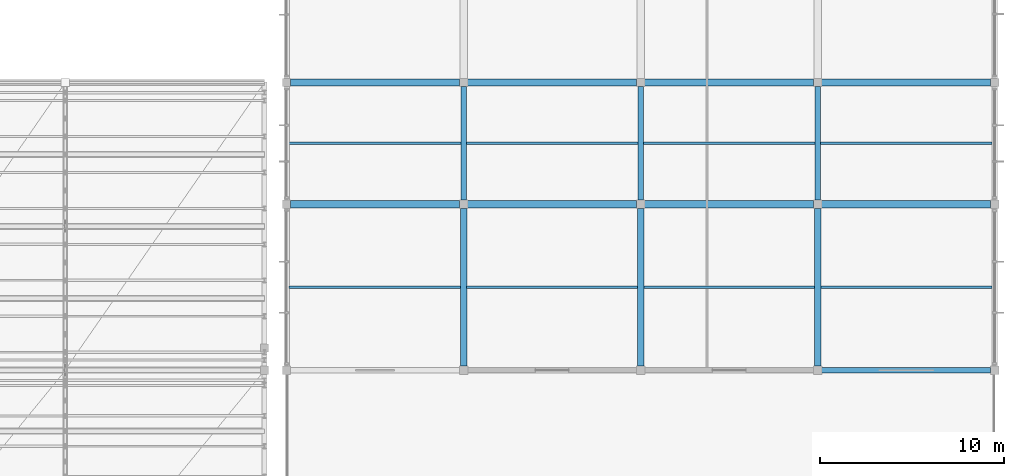
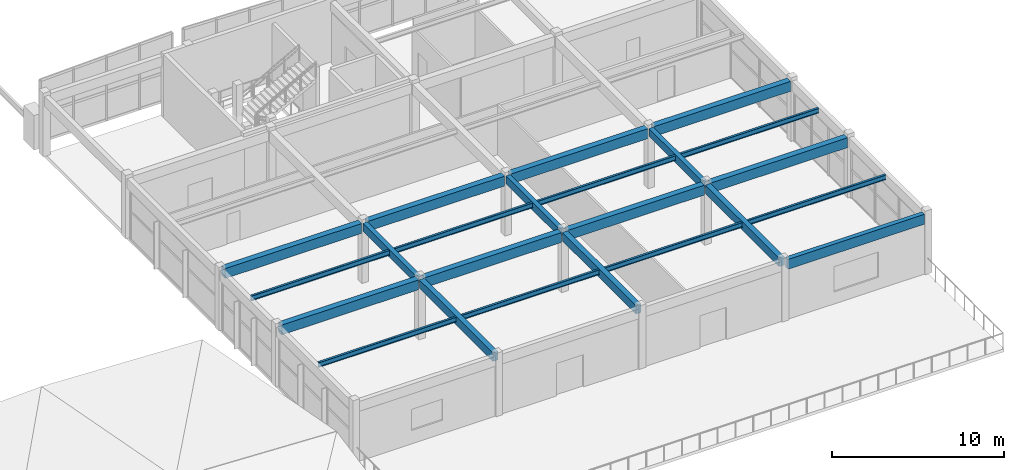
# One storey, part 38 of 89: 23 beams.
"""IFC4 building model written with IfcOpenShell, lengths in metres."""

from ifc_helpers import new_model, si_unit, direction, frame, origin, origin_2d, place, context, subcontext, project, spatial, rectangle, i_section, extrude, material, material_profile, profile_set, type_object, element, save


model = new_model("IFC4")

# Units and contexts
model_context = context("Model", 3, precision=1e-05, world=origin(), true_north=direction((0.0, 1.0)))
body_context = subcontext(model_context, "Body", "Model", "MODEL_VIEW")
ifc_project = project(units=[si_unit("LENGTHUNIT", "METRE"), si_unit("AREAUNIT", "SQUARE_METRE"), si_unit("VOLUMEUNIT", "CUBIC_METRE"), si_unit("PLANEANGLEUNIT", "RADIAN"), si_unit("MASSUNIT", "GRAM", prefix="KILO")], contexts=[model_context])

# Site, building, storey
site_placement = place(None, origin())
site = spatial("IfcSite", under=ifc_project, at=site_placement, CompositionType="ELEMENT")
building_placement = place(site_placement, origin())
building = spatial("IfcBuilding", under=site, at=building_placement, Name="Suirenkawa Promenade Aquatics Centre", CompositionType="ELEMENT")
storey_placement = place(building_placement, frame((0.0, 0.0, 9.60009765625)))
storey = spatial("IfcBuildingStorey", under=building, at=storey_placement, Name="L02", CompositionType="ELEMENT", Elevation=9.60009765625)

# Beams
ifc_material_1 = material(Name="Steel IS 2062 E350 (Grade 350)", Category="steel")
ifc_material_profile_1 = material_profile(ifc_material_1, i_section(OverallWidth=0.139892578125, OverallDepth=0.35009765625, WebThickness=0.008056640625, FlangeThickness=0.013916015625, at=origin_2d()), Name="ISMB 350", Category="steel")
ifc_profile_set_1 = profile_set([ifc_material_profile_1], Name="Steel IS 2062 E350 (Grade 350)")
beam_type_1 = type_object("IfcBeamType", Name="BT-JOIST-ISMB350", PredefinedType="JOIST", material=ifc_profile_set_1)
beam_1_placement = place(storey_placement, frame((156.14404296875, 17.699951171875, 4.072998046875), z_axis=(1.0, 0.0, 0.0), x_axis=(0.0, 1.0, 0.0)))
element("IfcBeam", 1, at=beam_1_placement, inside=storey, type_object=beam_type_1, Name="Secondary floor joist JS-03 BM-1780", PredefinedType="JOIST", context=body_context, shape_type="SweptSolid", body=[
    extrude(i_section(OverallWidth=0.139892578125, OverallDepth=0.35009765625, WebThickness=0.008056640625, FlangeThickness=0.013916015625, at=origin_2d()), origin(), (0.0, 0.0, 1.0), 9.286865234375),
])
beam_2_placement = place(storey_placement, frame((156.14404296875, 25.5, 4.072998046875), z_axis=(1.0, 0.0, 0.0), x_axis=(0.0, 1.0, 0.0)))
element("IfcBeam", 2, at=beam_2_placement, inside=storey, type_object=beam_type_1, Name="Secondary floor joist JS-03 BM-1781", PredefinedType="JOIST", context=body_context, shape_type="SweptSolid", body=[
    extrude(i_section(OverallWidth=0.139892578125, OverallDepth=0.35009765625, WebThickness=0.008056640625, FlangeThickness=0.013916015625, at=origin_2d()), origin(), (0.0, 0.0, 1.0), 9.31201171875),
])
beam_3_placement = place(storey_placement, frame((165.76904296875, 17.699951171875, 4.072998046875), z_axis=(1.0, 0.0, 0.0), x_axis=(0.0, 1.0, 0.0)))
element("IfcBeam", 3, at=beam_3_placement, inside=storey, type_object=beam_type_1, Name="Secondary floor joist JS-03 BM-1783", PredefinedType="JOIST", context=body_context, shape_type="SweptSolid", body=[
    extrude(i_section(OverallWidth=0.139892578125, OverallDepth=0.35009765625, WebThickness=0.008056640625, FlangeThickness=0.013916015625, at=origin_2d()), origin(), (0.0, 0.0, 1.0), 9.261962890625),
])
beam_4_placement = place(storey_placement, frame((165.743896484375, 25.5, 4.072998046875), z_axis=(1.0, 0.0, 0.0), x_axis=(0.0, 1.0, 0.0)))
element("IfcBeam", 4, at=beam_4_placement, inside=storey, type_object=beam_type_1, Name="Secondary floor joist JS-03 BM-1784", PredefinedType="JOIST", context=body_context, shape_type="SweptSolid", body=[
    extrude(i_section(OverallWidth=0.139892578125, OverallDepth=0.35009765625, WebThickness=0.008056640625, FlangeThickness=0.013916015625, at=origin_2d()), origin(), (0.0, 0.0, 1.0), 9.31201171875),
])
beam_5_placement = place(storey_placement, frame((175.368896484375, 17.699951171875, 4.072998046875), z_axis=(1.0, 0.0, 0.0), x_axis=(0.0, 1.0, 0.0)))
element("IfcBeam", 5, at=beam_5_placement, inside=storey, type_object=beam_type_1, Name="Secondary floor joist JS-03 BM-1786", PredefinedType="JOIST", context=body_context, shape_type="SweptSolid", body=[
    extrude(i_section(OverallWidth=0.139892578125, OverallDepth=0.35009765625, WebThickness=0.008056640625, FlangeThickness=0.013916015625, at=origin_2d()), origin(), (0.0, 0.0, 1.0), 9.26220703125),
])
beam_6_placement = place(storey_placement, frame((175.343994140625, 25.5, 4.072998046875), z_axis=(1.0, 0.0, 0.0), x_axis=(0.0, 1.0, 0.0)))
element("IfcBeam", 6, at=beam_6_placement, inside=storey, type_object=beam_type_1, Name="Secondary floor joist JS-03 BM-1787", PredefinedType="JOIST", context=body_context, shape_type="SweptSolid", body=[
    extrude(i_section(OverallWidth=0.139892578125, OverallDepth=0.35009765625, WebThickness=0.008056640625, FlangeThickness=0.013916015625, at=origin_2d()), origin(), (0.0, 0.0, 1.0), 9.31201171875),
])
beam_7_placement = place(storey_placement, frame((184.968994140625, 17.699951171875, 4.072998046875), z_axis=(1.0, 0.0, 0.0), x_axis=(0.0, 1.0, 0.0)))
element("IfcBeam", 7, at=beam_7_placement, inside=storey, type_object=beam_type_1, Name="Secondary floor joist JS-03 BM-1790", PredefinedType="JOIST", context=body_context, shape_type="SweptSolid", body=[
    extrude(i_section(OverallWidth=0.139892578125, OverallDepth=0.35009765625, WebThickness=0.008056640625, FlangeThickness=0.013916015625, at=origin_2d()), origin(), (0.0, 0.0, 1.0), 9.287109375),
])
beam_8_placement = place(storey_placement, frame((184.944091796875, 25.5, 4.072998046875), z_axis=(1.0, 0.0, 0.0), x_axis=(0.0, 1.0, 0.0)))
element("IfcBeam", 8, at=beam_8_placement, inside=storey, type_object=beam_type_1, Name="Secondary floor joist JS-03 BM-1791", PredefinedType="JOIST", context=body_context, shape_type="SweptSolid", body=[
    extrude(i_section(OverallWidth=0.139892578125, OverallDepth=0.35009765625, WebThickness=0.008056640625, FlangeThickness=0.013916015625, at=origin_2d()), origin(), (0.0, 0.0, 1.0), 9.31201171875),
])
ifc_material_2 = material(Name="Concrete M35", Category="concrete")
ifc_material_profile_2 = material_profile(ifc_material_2, rectangle(XDim=0.300048828125, YDim=0.550048828125, at=origin_2d()), Name="RC BM 300x550", Category="concrete")
ifc_profile_set_2 = profile_set([ifc_material_profile_2], Name="Concrete M35")
beam_type_2 = type_object("IfcBeamType", Name="BT-RC-300x550", PredefinedType="BEAM", material=ifc_profile_set_2)
for number, where, z_axis, x_axis, name in (
    (9, (165.60009765625, 22.4189453125, 3.974853515625), (0.0, 1.0, 0.0), (-1.0, 0.0, 0.0), "Floor beam BM-01 BM-1766"),
    (10, (175.199951171875, 22.4189453125, 3.974853515625), (0.0, 1.0, 0.0), (-1.0, 0.0, 0.0), "Floor beam BM-01 BM-1769"),
    (11, (184.800048828125, 22.4189453125, 3.974853515625), (0.0, 1.0, 0.0), (-1.0, 0.0, 0.0), "Floor beam BM-01 BM-1773"),
):
    element("IfcBeam", number, at=place(storey_placement, frame(where, z_axis=z_axis, x_axis=x_axis)), inside=storey, type_object=beam_type_2, Name=name, PredefinedType="BEAM", context=body_context, shape_type="SweptSolid", body=[
        extrude(rectangle(XDim=0.300048828125, YDim=0.550048828125, at=origin_2d()), origin(), (0.0, 0.0, 1.0), 6.162109375),
    ])
ifc_material_profile_3 = material_profile(ifc_material_2, rectangle(XDim=0.35009765625, YDim=0.60009765625, at=origin_2d()), Name="RC BM 350x600", Category="concrete")
ifc_profile_set_3 = profile_set([ifc_material_profile_3], Name="Concrete M35")
beam_type_3 = type_object("IfcBeamType", Name="BT-RC-350x600", PredefinedType="BEAM", material=ifc_profile_set_3)
for number, where, z_axis, x_axis, name in (
    (12, (165.60009765625, 13.4189453125, 3.949951171875), (0.0, 1.0, 0.0), (-1.0, 0.0, 0.0), "Floor beam BM-02 BM-1765"),
    (13, (175.199951171875, 13.4189453125, 3.949951171875), (0.0, 1.0, 0.0), (-1.0, 0.0, 0.0), "Floor beam BM-02 BM-1768"),
    (14, (184.800048828125, 13.4189453125, 3.949951171875), (0.0, 1.0, 0.0), (-1.0, 0.0, 0.0), "Floor beam BM-02 BM-1772"),
):
    element("IfcBeam", number, at=place(storey_placement, frame(where, z_axis=z_axis, x_axis=x_axis)), inside=storey, type_object=beam_type_3, Name=name, PredefinedType="BEAM", context=body_context, shape_type="SweptSolid", body=[
        extrude(rectangle(XDim=0.35009765625, YDim=0.60009765625, at=origin_2d()), origin(), (0.0, 0.0, 1.0), 8.56201171875),
    ])
ifc_material_profile_4 = material_profile(ifc_material_2, rectangle(XDim=0.39990234375, YDim=0.699951171875, at=origin_2d()), Name="RC BM 400x700", Category="concrete")
ifc_profile_set_4 = profile_set([ifc_material_profile_4], Name="Concrete M35")
beam_type_4 = type_object("IfcBeamType", Name="BT-RC-400x700", PredefinedType="BEAM", material=ifc_profile_set_4)
beam_9_placement = place(storey_placement, frame((156.218994140625, 22.199951171875, 3.89990234375), z_axis=(1.0, 0.0, 0.0), x_axis=(0.0, 1.0, 0.0)))
element("IfcBeam", 15, at=beam_9_placement, inside=storey, type_object=beam_type_4, Name="Floor beam BM-04 BM-1745", PredefinedType="BEAM", context=body_context, shape_type="SweptSolid", body=[
    extrude(rectangle(XDim=0.39990234375, YDim=0.699951171875, at=origin_2d()), origin(), (0.0, 0.0, 1.0), 9.162109375),
])
beam_10_placement = place(storey_placement, frame((165.819091796875, 22.199951171875, 3.89990234375), z_axis=(1.0, 0.0, 0.0), x_axis=(0.0, 1.0, 0.0)))
element("IfcBeam", 16, at=beam_10_placement, inside=storey, type_object=beam_type_4, Name="Floor beam BM-04 BM-1746", PredefinedType="BEAM", context=body_context, shape_type="SweptSolid", body=[
    extrude(rectangle(XDim=0.39990234375, YDim=0.699951171875, at=origin_2d()), origin(), (0.0, 0.0, 1.0), 9.161865234375),
])
beam_11_placement = place(storey_placement, frame((175.4189453125, 22.199951171875, 3.89990234375), z_axis=(1.0, 0.0, 0.0), x_axis=(0.0, 1.0, 0.0)))
element("IfcBeam", 17, at=beam_11_placement, inside=storey, type_object=beam_type_4, Name="Floor beam BM-04 BM-1747", PredefinedType="BEAM", context=body_context, shape_type="SweptSolid", body=[
    extrude(rectangle(XDim=0.39990234375, YDim=0.699951171875, at=origin_2d()), origin(), (0.0, 0.0, 1.0), 9.162109375),
])
beam_12_placement = place(storey_placement, frame((185.01904296875, 22.199951171875, 3.89990234375), z_axis=(1.0, 0.0, 0.0), x_axis=(0.0, 1.0, 0.0)))
element("IfcBeam", 18, at=beam_12_placement, inside=storey, type_object=beam_type_4, Name="Floor beam BM-04 BM-1748", PredefinedType="BEAM", context=body_context, shape_type="SweptSolid", body=[
    extrude(rectangle(XDim=0.39990234375, YDim=0.699951171875, at=origin_2d()), origin(), (0.0, 0.0, 1.0), 9.161865234375),
])
beam_13_placement = place(storey_placement, frame((156.218994140625, 28.800048828125, 3.89990234375), z_axis=(1.0, 0.0, 0.0), x_axis=(0.0, 1.0, 0.0)))
element("IfcBeam", 19, at=beam_13_placement, inside=storey, type_object=beam_type_4, Name="Floor beam BM-04 BM-1749", PredefinedType="BEAM", context=body_context, shape_type="SweptSolid", body=[
    extrude(rectangle(XDim=0.39990234375, YDim=0.699951171875, at=origin_2d()), origin(), (0.0, 0.0, 1.0), 9.162109375),
])
beam_14_placement = place(storey_placement, frame((165.819091796875, 28.800048828125, 3.89990234375), z_axis=(1.0, 0.0, 0.0), x_axis=(0.0, 1.0, 0.0)))
element("IfcBeam", 20, at=beam_14_placement, inside=storey, type_object=beam_type_4, Name="Floor beam BM-04 BM-1750", PredefinedType="BEAM", context=body_context, shape_type="SweptSolid", body=[
    extrude(rectangle(XDim=0.39990234375, YDim=0.699951171875, at=origin_2d()), origin(), (0.0, 0.0, 1.0), 9.161865234375),
])
beam_15_placement = place(storey_placement, frame((175.4189453125, 28.800048828125, 3.89990234375), z_axis=(1.0, 0.0, 0.0), x_axis=(0.0, 1.0, 0.0)))
element("IfcBeam", 21, at=beam_15_placement, inside=storey, type_object=beam_type_4, Name="Floor beam BM-04 BM-1751", PredefinedType="BEAM", context=body_context, shape_type="SweptSolid", body=[
    extrude(rectangle(XDim=0.39990234375, YDim=0.699951171875, at=origin_2d()), origin(), (0.0, 0.0, 1.0), 9.162109375),
])
beam_16_placement = place(storey_placement, frame((185.01904296875, 28.800048828125, 3.89990234375), z_axis=(1.0, 0.0, 0.0), x_axis=(0.0, 1.0, 0.0)))
element("IfcBeam", 22, at=beam_16_placement, inside=storey, type_object=beam_type_4, Name="Floor beam BM-04 BM-1752", PredefinedType="BEAM", context=body_context, shape_type="SweptSolid", body=[
    extrude(rectangle(XDim=0.39990234375, YDim=0.699951171875, at=origin_2d()), origin(), (0.0, 0.0, 1.0), 9.161865234375),
])
ifc_material_3 = material(Name="Concrete M40", Category="concrete")
ifc_material_profile_5 = material_profile(ifc_material_3, rectangle(XDim=0.300048828125, YDim=0.699951171875, at=origin_2d()), Name="RC SPANDREL 300x700", Category="concrete")
ifc_profile_set_5 = profile_set([ifc_material_profile_5], Name="Concrete M40")
beam_type_5 = type_object("IfcBeamType", Name="BT-SPANDREL-300x700", PredefinedType="SPANDREL", material=ifc_profile_set_5)
beam_17_placement = place(storey_placement, frame((185.01904296875, 13.199951171875, 3.89990234375), z_axis=(1.0, 0.0, 0.0), x_axis=(0.0, 1.0, 0.0)))
element("IfcBeam", 23, at=beam_17_placement, inside=storey, type_object=beam_type_5, Name="Floor beam SP-01 BM-1744", PredefinedType="SPANDREL", context=body_context, shape_type="SweptSolid", body=[
    extrude(rectangle(XDim=0.300048828125, YDim=0.699951171875, at=origin_2d()), origin(), (0.0, 0.0, 1.0), 9.161865234375),
])

save(model, "model.ifc")
